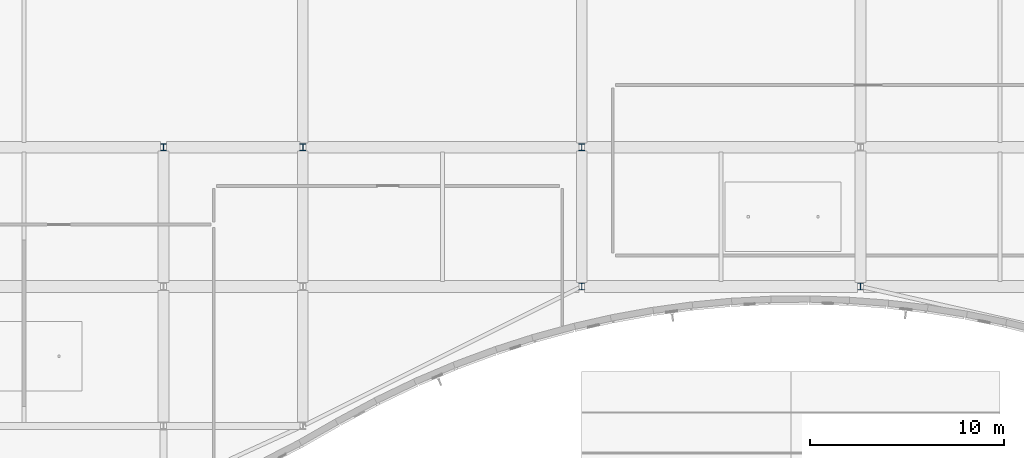
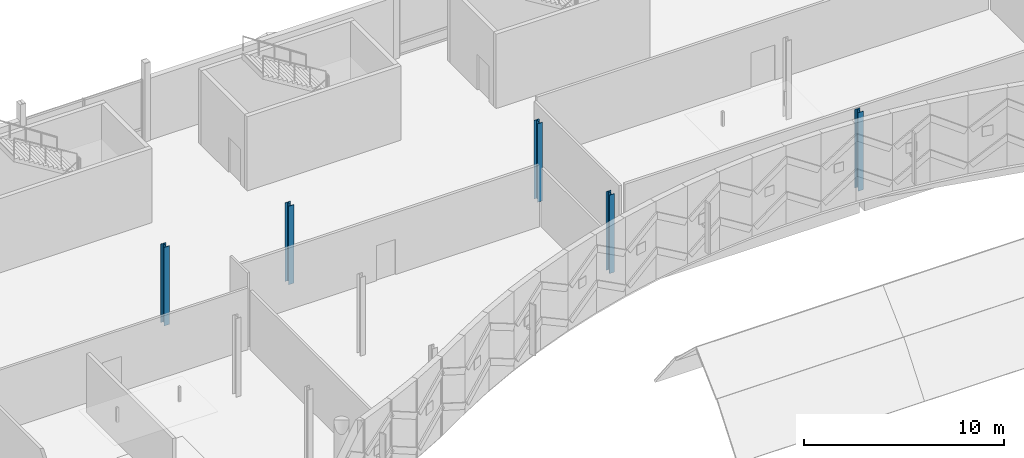
# One storey, part 5 of 193: 5 columns.
"""IFC4 building model written with IfcOpenShell, lengths in metres."""

from ifc_helpers import new_model, si_unit, direction, frame, origin, origin_2d, place, context, subcontext, project, spatial, i_section, extrude, material, material_profile, profile_set, type_object, element, save


model = new_model("IFC4")

# Units and contexts
model_context = context("Model", 3, precision=1e-05, world=origin(), true_north=direction((0.0, 1.0)))
body_context = subcontext(model_context, "Body", "Model", "MODEL_VIEW")
ifc_project = project(units=[si_unit("LENGTHUNIT", "METRE"), si_unit("AREAUNIT", "SQUARE_METRE"), si_unit("VOLUMEUNIT", "CUBIC_METRE"), si_unit("PLANEANGLEUNIT", "RADIAN"), si_unit("MASSUNIT", "GRAM", prefix="KILO")], contexts=[model_context])

# Site, building, storey
site_placement = place(None, origin())
site = spatial("IfcSite", under=ifc_project, at=site_placement, CompositionType="ELEMENT")
building_placement = place(site_placement, origin())
building = spatial("IfcBuilding", under=site, at=building_placement, Name="Cendralis Lancet Convention Centre", CompositionType="ELEMENT")
storey_placement = place(building_placement, frame((0.0, 0.0, 10.199951171875)))
storey = spatial("IfcBuildingStorey", under=building, at=storey_placement, Name="L02", CompositionType="ELEMENT", Elevation=10.199951171875)

# Columns
ifc_material = material(Name="Steel S355", Category="steel")
ifc_material_profile = material_profile(ifc_material, i_section(OverallWidth=0.300048828125, OverallDepth=0.360107421875, WebThickness=0.012451171875, FlangeThickness=0.0224609375, FilletRadius=0.027099609375, at=origin_2d()), Name="HEB 360")
ifc_profile_set = profile_set([ifc_material_profile], Name="Steel S355")
column_type = type_object("IfcColumnType", Name="STR-COL-C26-INT", PredefinedType="COLUMN", material=ifc_profile_set)
for number, where, z_axis, x_axis, name in (
    (1, (72.0, 21.60009765625, 0.0), (0.0, 0.0, 1.0), (1.0, 0.0, 0.0), "L02 Column C26 at 72.0,21.6"),
    (2, (79.199951171875, 21.60009765625, 0.0), (0.0, 0.0, 1.0), (1.0, 0.0, 0.0), "L02 Column C26 at 79.2,21.6"),
    (3, (93.60009765625, 14.39990234375, 0.0), (0.0, 0.0, 1.0), (1.0, 0.0, 0.0), "L02 Column C26 at 93.6,14.4"),
    (4, (93.60009765625, 21.60009765625, 0.0), (0.0, 0.0, 1.0), (1.0, 0.0, 0.0), "L02 Column C26 at 93.6,21.6"),
    (5, (108.0, 14.39990234375, 0.0), (0.0, 0.0, 1.0), (1.0, 0.0, 0.0), "L02 Column C26 at 108.0,14.4"),
):
    element("IfcColumn", number, at=place(storey_placement, frame(where, z_axis=z_axis, x_axis=x_axis)), inside=storey, type_object=column_type, Name=name, PredefinedType="COLUMN", context=body_context, shape_type="SweptSolid", body=[
        extrude(i_section(OverallWidth=0.300048828125, OverallDepth=0.360107421875, WebThickness=0.012451171875, FlangeThickness=0.0224609375, FilletRadius=0.027099609375, at=origin_2d()), origin(), (0.0, 0.0, 1.0), 4.800048828125),
    ])

save(model, "model.ifc")
